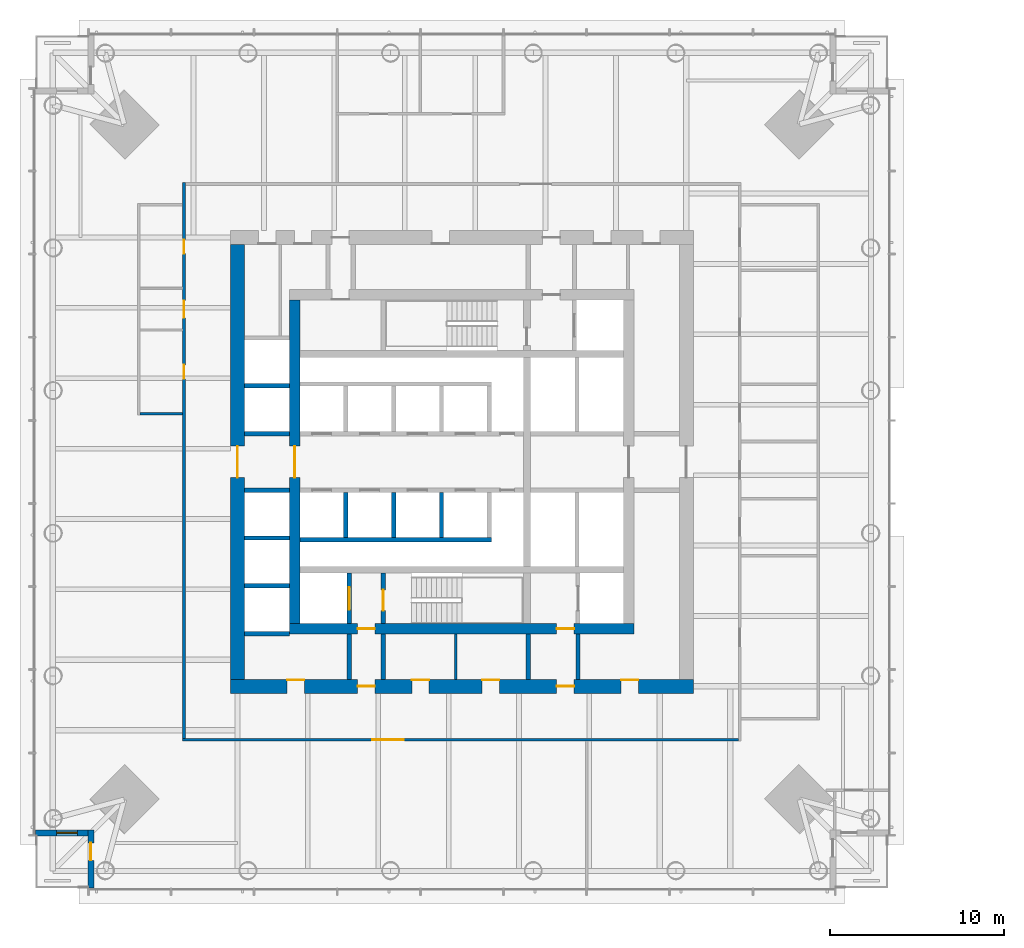
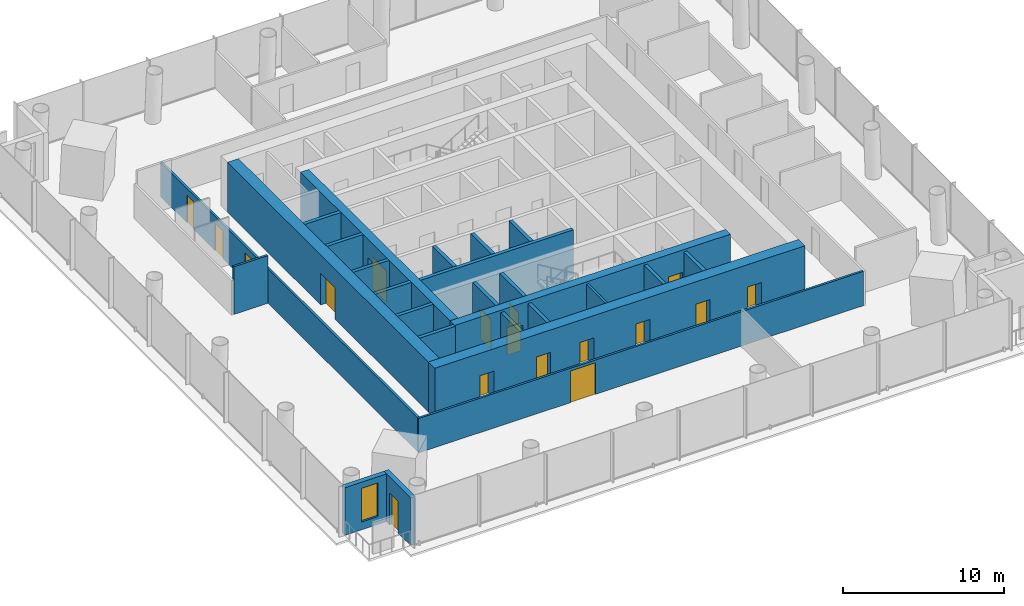
# One storey, part 9 of 26: 26 walls, 17 doors, 1 window, 18 openings.
"""IFC4 building model written with IfcOpenShell, lengths in metres."""

from ifc_helpers import new_model, si_unit, direction, frame, frame_2d, origin, place, context, subcontext, project, spatial, rectangle, extrude, material, layer, layer_set, type_object, element, fill, save


model = new_model("IFC4")

# Units and contexts
model_context = context("Model", 3, precision=1e-05, world=origin(), true_north=direction((0.0, 1.0)))
body_context = subcontext(model_context, "Body", "Model", "MODEL_VIEW")
ifc_project = project(units=[si_unit("LENGTHUNIT", "METRE"), si_unit("AREAUNIT", "SQUARE_METRE"), si_unit("VOLUMEUNIT", "CUBIC_METRE"), si_unit("PLANEANGLEUNIT", "RADIAN"), si_unit("MASSUNIT", "GRAM", prefix="KILO")], contexts=[model_context])

# Site, building, storey
site_placement = place(None, origin())
site = spatial("IfcSite", under=ifc_project, at=site_placement, CompositionType="ELEMENT")
building_placement = place(site_placement, origin())
building = spatial("IfcBuilding", under=site, at=building_placement, Name="Ostroluk Exchange", CompositionType="ELEMENT")
storey_placement = place(building_placement, frame((0.0, 0.0, 36.199951171875)))
storey = spatial("IfcBuildingStorey", under=building, at=storey_placement, Name="L08", CompositionType="ELEMENT", Elevation=36.199951171875)

# Walls
ifc_material_1 = material(Name="Concrete blockwork", Category="masonry")
ifc_layer_1 = layer(ifc_material_1, 0.14990234375)
ifc_layer_set_1 = layer_set([ifc_layer_1], Name="Blockwork plant room wall 150")
wall_type_1 = type_object("IfcWallType", Name="Blockwork plant room wall 150", PredefinedType="SOLIDWALL", material=ifc_layer_set_1)
wall_1_placement = place(storey_placement, frame((44.639892578125, 33.5, 0.0), z_axis=(0.0, 0.0, 1.0), x_axis=(0.0, 1.0, 0.0)))
element("IfcWall", 1, at=wall_1_placement, inside=storey, type_object=wall_type_1, Name="Core room wall", PredefinedType="SOLIDWALL", context=body_context, shape_type="SweptSolid", body=[
    extrude(rectangle(XDim=2.60009765625, YDim=0.14990234375, at=frame_2d((1.300048828125, 0.0))), origin(), (0.0, 0.0, 1.0), 3.6201171875),
])
ifc_material_2 = material(Name="Concrete blockwork", Category="masonry")
ifc_layer_2 = layer(ifc_material_2, 0.25)
ifc_layer_set_2 = layer_set([ifc_layer_2], Name="Blockwork stair enclosure wall 250")
wall_type_2 = type_object("IfcWallType", Name="Blockwork stair enclosure wall 250", PredefinedType="SOLIDWALL", material=ifc_layer_set_2)
for number, where, z_axis, x_axis, name in (
    (2, (38.52490234375, 33.5, 0.0), (0.0, 0.0, 1.0), (0.0, 1.0, 0.0), "Fire lobby enclosure wall"),
    (3, (40.47509765625, 33.5, 0.0), (0.0, 0.0, 1.0), (0.0, 1.0, 0.0), "Fire lobby enclosure wall"),
    (4, (48.804931640625, 33.5, 0.0), (0.0, 0.0, 1.0), (0.0, 1.0, 0.0), "Service lobby enclosure wall"),
    (5, (51.675048828125, 33.5, 0.0), (0.0, 0.0, 1.0), (0.0, 1.0, 0.0), "Service lobby enclosure wall"),
):
    element("IfcWall", number, at=place(storey_placement, frame(where, z_axis=z_axis, x_axis=x_axis)), inside=storey, type_object=wall_type_2, Name=name, PredefinedType="SOLIDWALL", context=body_context, shape_type="SweptSolid", body=[
        extrude(rectangle(XDim=2.60009765625, YDim=0.25, at=frame_2d((1.300048828125, 0.0))), origin(), (0.0, 0.0, 1.0), 3.6201171875),
    ])

# Wall, opening, door
ifc_material_3 = material(Name="Concrete C40/50", Category="concrete")
ifc_layer_3 = layer(ifc_material_3, 0.25)
ifc_layer_set_3 = layer_set([ifc_layer_3], Name="Core shaft wall 250")
wall_type_3 = type_object("IfcWallType", Name="Core shaft wall 250", PredefinedType="SHEAR", material=ifc_layer_set_3)
wall_2_placement = place(storey_placement, frame((38.52490234375, 36.699951171875, 0.0), z_axis=(0.0, 0.0, 1.0), x_axis=(0.0, 1.0, 0.0)))
wall_2 = element("IfcWall", 6, at=wall_2_placement, inside=storey, type_object=wall_type_3, Name="Firefighting lift shaft wall", PredefinedType="SHEAR", context=body_context, shape_type="SweptSolid", body=[
    extrude(rectangle(XDim=2.900146484375, YDim=0.25, at=frame_2d((1.4501953125, 0.0))), origin(), (0.0, 0.0, 1.0), 3.800048828125),
])
opening_1_placement = place(wall_2_placement, frame((0.800048828125, 0.0, 0.0)))
opening_1 = element("IfcOpeningElement", 7, at=opening_1_placement, cuts=wall_2, Name="Opening LD2", PredefinedType="OPENING", context=body_context, shape_type="SweptSolid", body=[
    extrude(rectangle(XDim=1.300048828125, YDim=2.199951171875, at=frame_2d((0.64990234375, 1.10009765625))), frame((0.0, 0.135009765625, 0.0), z_axis=(0.0, -1.0, 0.0), x_axis=(1.0, 0.0, 0.0)), (0.0, 0.0, 1.0), 0.27001953125),
])
ifc_material_4 = material(Name="Stainless steel", Category="steel")
door_type_1 = type_object("IfcDoorType", Name="Lift landing door E 60 1300 x 2200", OperationType="DOUBLE_DOOR_SLIDING", PredefinedType="DOOR", material=ifc_material_4)
door_1_placement = place(opening_1_placement, origin())
door_1 = element("IfcDoor", 8, at=door_1_placement, inside=storey, type_object=door_type_1, Name="Lift FL1 landing door", OperationType="DOUBLE_DOOR_SLIDING", OverallHeight=2.199951171875, OverallWidth=1.300048828125, PredefinedType="DOOR", context=body_context, shape_type="SweptSolid", body=[
    extrude(rectangle(XDim=1.300048828125, YDim=2.199951171875, at=frame_2d((0.64990234375, 1.10009765625))), frame((0.0, 0.02490234375, 0.0), z_axis=(0.0, -1.0, 0.0), x_axis=(1.0, 0.0, 0.0)), (0.0, 0.0, 1.0), 0.050048828125),
])
fill(opening_1, door_1)

wall_3_placement = place(storey_placement, frame((40.47509765625, 36.699951171875, 0.0), z_axis=(0.0, 0.0, 1.0), x_axis=(0.0, 1.0, 0.0)))
wall_3 = element("IfcWall", 9, at=wall_3_placement, inside=storey, type_object=wall_type_3, Name="Stair shaft wall", PredefinedType="SHEAR", context=body_context, shape_type="SweptSolid", body=[
    extrude(rectangle(XDim=2.900146484375, YDim=0.25, at=frame_2d((1.4501953125, 0.0))), origin(), (0.0, 0.0, 1.0), 3.800048828125),
])
opening_2_placement = place(wall_3_placement, frame((0.75, 0.0, 0.0)))
opening_2 = element("IfcOpeningElement", 10, at=opening_2_placement, cuts=wall_3, Name="Opening FD60S", PredefinedType="OPENING", context=body_context, shape_type="SweptSolid", body=[
    extrude(rectangle(XDim=1.199951171875, YDim=2.10009765625, at=frame_2d((0.60009765625, 1.050048828125))), frame((0.0, 0.135009765625, 0.0), z_axis=(0.0, -1.0, 0.0), x_axis=(1.0, 0.0, 0.0)), (0.0, 0.0, 1.0), 0.27001953125),
])
ifc_material_5 = material(Name="Steel", Category="steel")
door_type_2 = type_object("IfcDoorType", Name="Stair door EI 60 1200 x 2100", OperationType="SINGLE_SWING_LEFT", PredefinedType="DOOR", material=ifc_material_5)
door_2_placement = place(opening_2_placement, origin())
door_2 = element("IfcDoor", 11, at=door_2_placement, inside=storey, type_object=door_type_2, Name="Stair T1-S1 door", OperationType="SINGLE_SWING_LEFT", OverallHeight=2.10009765625, OverallWidth=1.199951171875, PredefinedType="DOOR", context=body_context, shape_type="SweptSolid", body=[
    extrude(rectangle(XDim=1.199951171875, YDim=2.10009765625, at=frame_2d((0.60009765625, 1.050048828125))), frame((0.0, 0.02490234375, 0.0), z_axis=(0.0, -1.0, 0.0), x_axis=(1.0, 0.0, 0.0)), (0.0, 0.0, 1.0), 0.050048828125),
])
fill(opening_2, door_2)

# Walls
for number, where, z_axis, x_axis, name in (
    (12, (38.324951171875, 44.25, 0.0), (0.0, 0.0, 1.0), (0.0, -1.0, 0.0), "Lift shaft wall"),
    (13, (41.074951171875, 44.25, 0.0), (0.0, 0.0, 1.0), (0.0, -1.0, 0.0), "Lift shaft wall"),
    (14, (43.824951171875, 44.25, 0.0), (0.0, 0.0, 1.0), (0.0, -1.0, 0.0), "Lift shaft wall"),
):
    element("IfcWall", number, at=place(storey_placement, frame(where, z_axis=z_axis, x_axis=x_axis)), inside=storey, type_object=wall_type_3, Name=name, PredefinedType="SHEAR", context=body_context, shape_type="SweptSolid", body=[
        extrude(rectangle(XDim=2.60009765625, YDim=0.25, at=frame_2d((1.300048828125, 0.0))), origin(), (0.0, 0.0, 1.0), 3.800048828125),
    ])
wall_4_placement = place(storey_placement, frame((35.699951171875, 41.52490234375, 0.0), z_axis=(0.0, 0.0, 1.0), x_axis=(1.0, 0.0, 0.0)))
element("IfcWall", 15, at=wall_4_placement, inside=storey, type_object=wall_type_3, Name="Lift shaft wall", PredefinedType="SHEAR", context=body_context, shape_type="SweptSolid", body=[
    extrude(rectangle(XDim=11.0, YDim=0.25, at=frame_2d((5.5, 0.0))), origin(), (0.0, 0.0, 1.0), 3.800048828125),
])
for number, where, z_axis, x_axis, name in (
    (16, (32.5, 36.125, 0.0), (0.0, 0.0, 1.0), (1.0, 0.0, 0.0), "Lift shaft wall"),
    (17, (32.5, 38.875, 0.0), (0.0, 0.0, 1.0), (1.0, 0.0, 0.0), "Lift shaft wall"),
    (18, (32.5, 41.625, 0.0), (0.0, 0.0, 1.0), (1.0, 0.0, 0.0), "Lift shaft wall"),
    (19, (32.5, 44.375, 0.0), (0.0, 0.0, 1.0), (1.0, 0.0, 0.0), "Lift shaft wall"),
    (20, (32.5, 47.625, 0.0), (0.0, 0.0, 1.0), (1.0, 0.0, 0.0), "Lift shaft wall"),
    (21, (32.5, 50.375, 0.0), (0.0, 0.0, 1.0), (1.0, 0.0, 0.0), "Lift shaft wall"),
):
    element("IfcWall", number, at=place(storey_placement, frame(where, z_axis=z_axis, x_axis=x_axis)), inside=storey, type_object=wall_type_3, Name=name, PredefinedType="SHEAR", context=body_context, shape_type="SweptSolid", body=[
        extrude(rectangle(XDim=2.60009765625, YDim=0.25, at=frame_2d((1.300048828125, 0.0))), origin(), (0.0, 0.0, 1.0), 3.800048828125),
    ])

# Wall, openings, doors
ifc_material_6 = material(Name="Concrete C50/60", Category="concrete")
ifc_layer_4 = layer(ifc_material_6, 0.60009765625)
ifc_layer_set_4 = layer_set([ifc_layer_4], Name="Core wall 600 C50/60")
wall_type_4 = type_object("IfcWallType", Name="Core wall 600 C50/60", PredefinedType="SHEAR", material=ifc_layer_set_4)
wall_5_placement = place(storey_placement, frame((35.10009765625, 36.39990234375, 0.0), z_axis=(0.0, 0.0, 1.0), x_axis=(1.0, 0.0, 0.0)))
wall_5 = element("IfcWall", 22, at=wall_5_placement, inside=storey, type_object=wall_type_4, Name="T1 core wall S", PredefinedType="SHEAR", context=body_context, shape_type="SweptSolid", body=[
    extrude(rectangle(XDim=19.7998046875, YDim=0.60009765625, at=frame_2d((9.89990234375, 0.0))), origin(), (0.0, 0.0, 1.0), 3.800048828125),
])
opening_3_placement = place(wall_5_placement, frame((3.89990234375, 0.0, 0.0)))
opening_3 = element("IfcOpeningElement", 23, at=opening_3_placement, cuts=wall_5, Name="Opening FD60", PredefinedType="OPENING", context=body_context, shape_type="SweptSolid", body=[
    extrude(rectangle(XDim=1.0, YDim=2.10009765625, at=frame_2d((0.5, 1.050048828125))), frame((0.0, 0.31005859375, 0.0), z_axis=(0.0, -1.0, 0.0), x_axis=(1.0, 0.0, 0.0)), (0.0, 0.0, 1.0), 0.6201171875),
])
opening_4_placement = place(wall_5_placement, frame((15.35009765625, 0.0, 0.0)))
opening_4 = element("IfcOpeningElement", 24, at=opening_4_placement, cuts=wall_5, Name="Opening FD60", PredefinedType="OPENING", context=body_context, shape_type="SweptSolid", body=[
    extrude(rectangle(XDim=1.0, YDim=2.10009765625, at=frame_2d((0.5, 1.050048828125))), frame((0.0, 0.31005859375, 0.0), z_axis=(0.0, -1.0, 0.0), x_axis=(1.0, 0.0, 0.0)), (0.0, 0.0, 1.0), 0.6201171875),
])
ifc_material_7 = material(Name="Steel", Category="steel")
door_type_3 = type_object("IfcDoorType", Name="Fire door EI 60 1000 x 2100", OperationType="SINGLE_SWING_LEFT", PredefinedType="DOOR", material=ifc_material_7)
door_3_placement = place(opening_3_placement, origin())
door_3 = element("IfcDoor", 25, at=door_3_placement, inside=storey, type_object=door_type_3, Name="Firefighting lobby door", OperationType="SINGLE_SWING_LEFT", OverallHeight=2.10009765625, OverallWidth=1.0, PredefinedType="DOOR", context=body_context, shape_type="SweptSolid", body=[
    extrude(rectangle(XDim=1.0, YDim=2.10009765625, at=frame_2d((0.5, 1.050048828125))), frame((0.0, 0.02490234375, 0.0), z_axis=(0.0, -1.0, 0.0), x_axis=(1.0, 0.0, 0.0)), (0.0, 0.0, 1.0), 0.050048828125),
])
fill(opening_3, door_3)
door_4_placement = place(opening_4_placement, origin())
door_4 = element("IfcDoor", 26, at=door_4_placement, inside=storey, type_object=door_type_3, Name="Service lobby door", OperationType="SINGLE_SWING_RIGHT", OverallHeight=2.10009765625, OverallWidth=1.0, PredefinedType="DOOR", context=body_context, shape_type="SweptSolid", body=[
    extrude(rectangle(XDim=1.0, YDim=2.10009765625, at=frame_2d((0.5, 1.050048828125))), frame((0.0, 0.02490234375, 0.0), z_axis=(0.0, -1.0, 0.0), x_axis=(1.0, 0.0, 0.0)), (0.0, 0.0, 1.0), 0.050048828125),
])
fill(opening_4, door_4)

# Wall, opening, door
wall_6_placement = place(storey_placement, frame((35.39990234375, 36.699951171875, 0.0), z_axis=(0.0, 0.0, 1.0), x_axis=(0.0, 1.0, 0.0)))
wall_6 = element("IfcWall", 27, at=wall_6_placement, inside=storey, type_object=wall_type_4, Name="T1 core wall W", PredefinedType="SHEAR", context=body_context, shape_type="SweptSolid", body=[
    extrude(rectangle(XDim=18.60009765625, YDim=0.60009765625, at=frame_2d((9.300048828125, 0.0))), origin(), (0.0, 0.0, 1.0), 3.800048828125),
])
opening_5_placement = place(wall_6_placement, frame((8.39990234375, 0.0, 0.0)))
opening_5 = element("IfcOpeningElement", 28, at=opening_5_placement, cuts=wall_6, Name="Opening FD30D", PredefinedType="OPENING", context=body_context, shape_type="SweptSolid", body=[
    extrude(rectangle(XDim=1.800048828125, YDim=2.39990234375, at=frame_2d((0.89990234375, 1.199951171875))), frame((0.0, 0.31005859375, 0.0), z_axis=(0.0, -1.0, 0.0), x_axis=(1.0, 0.0, 0.0)), (0.0, 0.0, 1.0), 0.6201171875),
])
ifc_material_8 = material(Name="Timber", Category="wood")
door_type_4 = type_object("IfcDoorType", Name="Lobby double door EI 30 1800 x 2400", OperationType="DOUBLE_DOOR_SINGLE_SWING", PredefinedType="DOOR", material=ifc_material_8)
door_5_placement = place(opening_5_placement, origin())
door_5 = element("IfcDoor", 29, at=door_5_placement, inside=storey, type_object=door_type_4, Name="Lift lobby doors", OperationType="DOUBLE_DOOR_SINGLE_SWING", OverallHeight=2.39990234375, OverallWidth=1.800048828125, PredefinedType="DOOR", context=body_context, shape_type="SweptSolid", body=[
    extrude(rectangle(XDim=1.800048828125, YDim=2.39990234375, at=frame_2d((0.89990234375, 1.199951171875))), frame((0.0, 0.02490234375, 0.0), z_axis=(0.0, -1.0, 0.0), x_axis=(1.0, 0.0, 0.0)), (0.0, 0.0, 1.0), 0.050048828125),
])
fill(opening_5, door_5)

# Wall, openings, doors
ifc_material_9 = material(Name="Concrete C50/60", Category="concrete")
ifc_layer_5 = layer(ifc_material_9, 0.800048828125)
ifc_layer_set_5 = layer_set([ifc_layer_5], Name="Core wall 800 C50/60")
wall_type_5 = type_object("IfcWallType", Name="Core wall 800 C50/60", PredefinedType="SHEAR", material=ifc_layer_set_5)
wall_7_placement = place(storey_placement, frame((31.699951171875, 33.10009765625, 0.0), z_axis=(0.0, 0.0, 1.0), x_axis=(1.0, 0.0, 0.0)))
wall_7 = element("IfcWall", 30, at=wall_7_placement, inside=storey, type_object=wall_type_5, Name="T1 core wall RS", PredefinedType="SHEAR", context=body_context, shape_type="SweptSolid", body=[
    extrude(rectangle(XDim=26.60009765625, YDim=0.800048828125, at=frame_2d((13.300048828125, 0.0))), origin(), (0.0, 0.0, 1.0), 3.800048828125),
])
opening_6_placement = place(wall_7_placement, frame((7.300048828125, 0.0, 0.0)))
opening_6 = element("IfcOpeningElement", 31, at=opening_6_placement, cuts=wall_7, Name="Opening FD60", PredefinedType="OPENING", context=body_context, shape_type="SweptSolid", body=[
    extrude(rectangle(XDim=1.0, YDim=2.10009765625, at=frame_2d((0.5, 1.050048828125))), frame((0.0, 0.409912109375, 0.0), z_axis=(0.0, -1.0, 0.0), x_axis=(1.0, 0.0, 0.0)), (0.0, 0.0, 1.0), 0.820068359375),
])
opening_7_placement = place(wall_7_placement, frame((18.75, 0.0, 0.0)))
opening_7 = element("IfcOpeningElement", 32, at=opening_7_placement, cuts=wall_7, Name="Opening FD60", PredefinedType="OPENING", context=body_context, shape_type="SweptSolid", body=[
    extrude(rectangle(XDim=1.0, YDim=2.10009765625, at=frame_2d((0.5, 1.050048828125))), frame((0.0, 0.409912109375, 0.0), z_axis=(0.0, -1.0, 0.0), x_axis=(1.0, 0.0, 0.0)), (0.0, 0.0, 1.0), 0.820068359375),
])
opening_8_placement = place(wall_7_placement, frame((3.25, 0.0, 0.0)))
opening_8 = element("IfcOpeningElement", 33, at=opening_8_placement, cuts=wall_7, Name="Opening FD60", PredefinedType="OPENING", context=body_context, shape_type="SweptSolid", body=[
    extrude(rectangle(XDim=1.0, YDim=2.10009765625, at=frame_2d((0.5, 1.050048828125))), frame((0.0, 0.409912109375, 0.0), z_axis=(0.0, -1.0, 0.0), x_axis=(1.0, 0.0, 0.0)), (0.0, 0.0, 1.0), 0.820068359375),
])
opening_9_placement = place(wall_7_placement, frame((10.419921875, 0.0, 0.0)))
opening_9 = element("IfcOpeningElement", 34, at=opening_9_placement, cuts=wall_7, Name="Opening FD60", PredefinedType="OPENING", context=body_context, shape_type="SweptSolid", body=[
    extrude(rectangle(XDim=1.0, YDim=2.10009765625, at=frame_2d((0.5, 1.050048828125))), frame((0.0, 0.409912109375, 0.0), z_axis=(0.0, -1.0, 0.0), x_axis=(1.0, 0.0, 0.0)), (0.0, 0.0, 1.0), 0.820068359375),
])
opening_10_placement = place(wall_7_placement, frame((14.4599609375, 0.0, 0.0)))
opening_10 = element("IfcOpeningElement", 35, at=opening_10_placement, cuts=wall_7, Name="Opening FD60", PredefinedType="OPENING", context=body_context, shape_type="SweptSolid", body=[
    extrude(rectangle(XDim=1.0, YDim=2.10009765625, at=frame_2d((0.5, 1.050048828125))), frame((0.0, 0.409912109375, 0.0), z_axis=(0.0, -1.0, 0.0), x_axis=(1.0, 0.0, 0.0)), (0.0, 0.0, 1.0), 0.820068359375),
])
opening_11_placement = place(wall_7_placement, frame((22.449951171875, 0.0, 0.0)))
opening_11 = element("IfcOpeningElement", 36, at=opening_11_placement, cuts=wall_7, Name="Opening FD60", PredefinedType="OPENING", context=body_context, shape_type="SweptSolid", body=[
    extrude(rectangle(XDim=1.0, YDim=2.10009765625, at=frame_2d((0.5, 1.050048828125))), frame((0.0, 0.409912109375, 0.0), z_axis=(0.0, -1.0, 0.0), x_axis=(1.0, 0.0, 0.0)), (0.0, 0.0, 1.0), 0.820068359375),
])
door_6_placement = place(opening_6_placement, origin())
door_6 = element("IfcDoor", 37, at=door_6_placement, inside=storey, type_object=door_type_3, Name="Firefighting lobby door", OperationType="SINGLE_SWING_LEFT", OverallHeight=2.10009765625, OverallWidth=1.0, PredefinedType="DOOR", context=body_context, shape_type="SweptSolid", body=[
    extrude(rectangle(XDim=1.0, YDim=2.10009765625, at=frame_2d((0.5, 1.050048828125))), frame((0.0, 0.02490234375, 0.0), z_axis=(0.0, -1.0, 0.0), x_axis=(1.0, 0.0, 0.0)), (0.0, 0.0, 1.0), 0.050048828125),
])
fill(opening_6, door_6)
door_7_placement = place(opening_7_placement, origin())
door_7 = element("IfcDoor", 38, at=door_7_placement, inside=storey, type_object=door_type_3, Name="Service lobby door", OperationType="SINGLE_SWING_RIGHT", OverallHeight=2.10009765625, OverallWidth=1.0, PredefinedType="DOOR", context=body_context, shape_type="SweptSolid", body=[
    extrude(rectangle(XDim=1.0, YDim=2.10009765625, at=frame_2d((0.5, 1.050048828125))), frame((0.0, 0.02490234375, 0.0), z_axis=(0.0, -1.0, 0.0), x_axis=(1.0, 0.0, 0.0)), (0.0, 0.0, 1.0), 0.050048828125),
])
fill(opening_7, door_7)
door_8_placement = place(opening_8_placement, origin())
door_8 = element("IfcDoor", 39, at=door_8_placement, inside=storey, type_object=door_type_3, Name="Archive door", OperationType="SINGLE_SWING_LEFT", OverallHeight=2.10009765625, OverallWidth=1.0, PredefinedType="DOOR", context=body_context, shape_type="SweptSolid", body=[
    extrude(rectangle(XDim=1.0, YDim=2.10009765625, at=frame_2d((0.5, 1.050048828125))), frame((0.0, 0.39013671875, 0.0), z_axis=(0.0, -1.0, 0.0), x_axis=(1.0, 0.0, 0.0)), (0.0, 0.0, 1.0), 0.050048828125),
])
fill(opening_8, door_8)
door_9_placement = place(opening_9_placement, origin())
door_9 = element("IfcDoor", 40, at=door_9_placement, inside=storey, type_object=door_type_3, Name="Tea point door", OperationType="SINGLE_SWING_LEFT", OverallHeight=2.10009765625, OverallWidth=1.0, PredefinedType="DOOR", context=body_context, shape_type="SweptSolid", body=[
    extrude(rectangle(XDim=1.0, YDim=2.10009765625, at=frame_2d((0.5, 1.050048828125))), frame((0.0, 0.39013671875, 0.0), z_axis=(0.0, -1.0, 0.0), x_axis=(1.0, 0.0, 0.0)), (0.0, 0.0, 1.0), 0.050048828125),
])
fill(opening_9, door_9)
door_10_placement = place(opening_10_placement, origin())
door_10 = element("IfcDoor", 41, at=door_10_placement, inside=storey, type_object=door_type_3, Name="Print and post room door", OperationType="SINGLE_SWING_RIGHT", OverallHeight=2.10009765625, OverallWidth=1.0, PredefinedType="DOOR", context=body_context, shape_type="SweptSolid", body=[
    extrude(rectangle(XDim=1.0, YDim=2.10009765625, at=frame_2d((0.5, 1.050048828125))), frame((0.0, 0.39013671875, 0.0), z_axis=(0.0, -1.0, 0.0), x_axis=(1.0, 0.0, 0.0)), (0.0, 0.0, 1.0), 0.050048828125),
])
fill(opening_10, door_10)
door_11_placement = place(opening_11_placement, origin())
door_11 = element("IfcDoor", 42, at=door_11_placement, inside=storey, type_object=door_type_3, Name="Tenant IT room door", OperationType="SINGLE_SWING_RIGHT", OverallHeight=2.10009765625, OverallWidth=1.0, PredefinedType="DOOR", context=body_context, shape_type="SweptSolid", body=[
    extrude(rectangle(XDim=1.0, YDim=2.10009765625, at=frame_2d((0.5, 1.050048828125))), frame((0.0, 0.39013671875, 0.0), z_axis=(0.0, -1.0, 0.0), x_axis=(1.0, 0.0, 0.0)), (0.0, 0.0, 1.0), 0.050048828125),
])
fill(opening_11, door_11)

# Wall, opening, door
wall_8_placement = place(storey_placement, frame((32.10009765625, 33.5, 0.0), z_axis=(0.0, 0.0, 1.0), x_axis=(0.0, 1.0, 0.0)))
wall_8 = element("IfcWall", 43, at=wall_8_placement, inside=storey, type_object=wall_type_5, Name="T1 core wall RW", PredefinedType="SHEAR", context=body_context, shape_type="SweptSolid", body=[
    extrude(rectangle(XDim=25.0, YDim=0.800048828125, at=frame_2d((12.5, 0.0))), origin(), (0.0, 0.0, 1.0), 3.800048828125),
])
opening_12_placement = place(wall_8_placement, frame((11.60009765625, 0.0, 0.0)))
opening_12 = element("IfcOpeningElement", 44, at=opening_12_placement, cuts=wall_8, Name="Opening FD30D", PredefinedType="OPENING", context=body_context, shape_type="SweptSolid", body=[
    extrude(rectangle(XDim=1.800048828125, YDim=2.39990234375, at=frame_2d((0.89990234375, 1.199951171875))), frame((0.0, 0.409912109375, 0.0), z_axis=(0.0, -1.0, 0.0), x_axis=(1.0, 0.0, 0.0)), (0.0, 0.0, 1.0), 0.820068359375),
])
door_12_placement = place(opening_12_placement, origin())
door_12 = element("IfcDoor", 45, at=door_12_placement, inside=storey, type_object=door_type_4, Name="Lift lobby doors", OperationType="DOUBLE_DOOR_SINGLE_SWING", OverallHeight=2.39990234375, OverallWidth=1.800048828125, PredefinedType="DOOR", context=body_context, shape_type="SweptSolid", body=[
    extrude(rectangle(XDim=1.800048828125, YDim=2.39990234375, at=frame_2d((0.89990234375, 1.199951171875))), frame((0.0, 0.02490234375, 0.0), z_axis=(0.0, -1.0, 0.0), x_axis=(1.0, 0.0, 0.0)), (0.0, 0.0, 1.0), 0.050048828125),
])
fill(opening_12, door_12)

ifc_material_10 = material(Name="Limestone", Category="masonry")
ifc_layer_6 = layer(ifc_material_10, 0.35009765625)
ifc_layer_set_6 = layer_set([ifc_layer_6], Name="Limestone facade wall 350")
wall_type_6 = type_object("IfcWallType", Name="Limestone facade wall 350", PredefinedType="SOLIDWALL", material=ifc_layer_set_6)
wall_9_placement = place(storey_placement, frame((23.675048828125, 21.5, 0.0), z_axis=(0.0, 0.0, 1.0), x_axis=(0.0, 1.0, 0.0)))
wall_9 = element("IfcWall", 46, at=wall_9_placement, inside=storey, type_object=wall_type_6, Name="Office tower SW corner wall L08 a", PredefinedType="SOLIDWALL", context=body_context, shape_type="SweptSolid", body=[
    extrude(rectangle(XDim=3.35009765625, YDim=0.35009765625, at=frame_2d((1.675048828125, 0.0))), origin(), (0.0, 0.0, 1.0), 3.6201171875),
])
opening_13_placement = place(wall_9_placement, frame((1.60009765625, 0.0, 0.0)))
opening_13 = element("IfcOpeningElement", 47, at=opening_13_placement, cuts=wall_9, Name="Opening D-B1", PredefinedType="OPENING", context=body_context, shape_type="SweptSolid", body=[
    extrude(rectangle(XDim=1.0, YDim=2.39990234375, at=frame_2d((0.5, 1.199951171875))), frame((0.0, 0.18505859375, 0.0), z_axis=(0.0, -1.0, 0.0), x_axis=(1.0, 0.0, 0.0)), (0.0, 0.0, 1.0), 0.3701171875),
])
ifc_material_11 = material(Name="Bronze framed glazed door", Category="aluminium")
door_type_5 = type_object("IfcDoorType", Name="Balcony door 1000 x 2400", OperationType="SINGLE_SWING_LEFT", PredefinedType="DOOR", material=ifc_material_11)
door_13_placement = place(opening_13_placement, origin())
door_13 = element("IfcDoor", 48, at=door_13_placement, inside=storey, type_object=door_type_5, Name="Office tower SW balcony door L08", OperationType="SINGLE_SWING_RIGHT", OverallHeight=2.39990234375, OverallWidth=1.0, PredefinedType="DOOR", context=body_context, shape_type="SweptSolid", body=[
    extrude(rectangle(XDim=1.0, YDim=2.39990234375, at=frame_2d((0.5, 1.199951171875))), frame((0.0, 0.02490234375, 0.0), z_axis=(0.0, -1.0, 0.0), x_axis=(1.0, 0.0, 0.0)), (0.0, 0.0, 1.0), 0.050048828125),
])
fill(opening_13, door_13)

# Wall, opening, window
wall_10_placement = place(storey_placement, frame((23.5, 24.675048828125, 0.0), z_axis=(0.0, 0.0, 1.0), x_axis=(-1.0, 0.0, 0.0)))
wall_10 = element("IfcWall", 49, at=wall_10_placement, inside=storey, type_object=wall_type_6, Name="Office tower SW corner wall L08 b", PredefinedType="SOLIDWALL", context=body_context, shape_type="SweptSolid", body=[
    extrude(rectangle(XDim=3.0, YDim=0.35009765625, at=frame_2d((1.5, 0.0))), origin(), (0.0, 0.0, 1.0), 3.6201171875),
])
opening_14_placement = place(wall_10_placement, frame((0.60009765625, 0.0, 0.60009765625)))
opening_14 = element("IfcOpeningElement", 50, at=opening_14_placement, cuts=wall_10, Name="Opening WN-L1", PredefinedType="OPENING", context=body_context, shape_type="SweptSolid", body=[
    extrude(rectangle(XDim=1.199951171875, YDim=2.550048828125, at=frame_2d((0.60009765625, 1.27490234375))), frame((0.0, 0.18505859375, 0.0), z_axis=(0.0, -1.0, 0.0), x_axis=(1.0, 0.0, 0.0)), (0.0, 0.0, 1.0), 0.3701171875),
])
ifc_material_12 = material(Name="Laminated clear glass", Category="glass")
window_type = type_object("IfcWindowType", Name="Lancet window 1200 x 2550", PartitioningType="SINGLE_PANEL", PredefinedType="WINDOW", material=ifc_material_12)
window_placement = place(opening_14_placement, origin())
window = element("IfcWindow", 51, at=window_placement, inside=storey, type_object=window_type, Name="Office tower SW lancet window L08", OverallHeight=2.550048828125, OverallWidth=1.199951171875, PartitioningType="SINGLE_PANEL", PredefinedType="WINDOW", context=body_context, shape_type="SweptSolid", body=[
    extrude(rectangle(XDim=1.199951171875, YDim=2.550048828125, at=frame_2d((0.60009765625, 1.27490234375))), frame((0.0, 0.030029296875, 0.0), z_axis=(0.0, -1.0, 0.0), x_axis=(1.0, 0.0, 0.0)), (0.0, 0.0, 1.0), 0.06005859375),
])
fill(opening_14, window)

# Wall, openings, doors
ifc_material_13 = material(Name="Gypsum plasterboard partition", Category="gypsum")
ifc_layer_7 = layer(ifc_material_13, 0.14990234375)
ifc_layer_set_7 = layer_set([ifc_layer_7], Name="Plasterboard partition 150")
wall_type_7 = type_object("IfcWallType", Name="Plasterboard partition 150", PredefinedType="PARTITIONING", material=ifc_layer_set_7)
wall_11_placement = place(storey_placement, frame((29.02490234375, 62.050048828125, 0.0), z_axis=(0.0, 0.0, 1.0), x_axis=(0.0, -1.0, 0.0)))
wall_11 = element("IfcWall", 52, at=wall_11_placement, inside=storey, type_object=wall_type_7, Name="Corridor wall", PredefinedType="PARTITIONING", context=body_context, shape_type="SweptSolid", body=[
    extrude(rectangle(XDim=31.949951171875, YDim=0.14990234375, at=frame_2d((15.97509765625, 0.0))), origin(), (0.0, 0.0, 1.0), 2.612060546875),
])
opening_15_placement = place(wall_11_placement, frame((3.27490234375, 0.0, 0.0)))
opening_15 = element("IfcOpeningElement", 53, at=opening_15_placement, cuts=wall_11, Name="Opening D-06", PredefinedType="OPENING", context=body_context, shape_type="SweptSolid", body=[
    extrude(rectangle(XDim=0.800048828125, YDim=2.10009765625, at=frame_2d((0.39990234375, 1.050048828125))), frame((0.0, 0.0849609375, 0.0), z_axis=(0.0, -1.0, 0.0), x_axis=(1.0, 0.0, 0.0)), (0.0, 0.0, 1.0), 0.169921875),
])
opening_16_placement = place(wall_11_placement, frame((6.77490234375, 0.0, 0.0)))
opening_16 = element("IfcOpeningElement", 54, at=opening_16_placement, cuts=wall_11, Name="Opening D-03", PredefinedType="OPENING", context=body_context, shape_type="SweptSolid", body=[
    extrude(rectangle(XDim=1.0, YDim=2.10009765625, at=frame_2d((0.5, 1.050048828125))), frame((0.0, 0.0849609375, 0.0), z_axis=(0.0, -1.0, 0.0), x_axis=(1.0, 0.0, 0.0)), (0.0, 0.0, 1.0), 0.169921875),
])
opening_17_placement = place(wall_11_placement, frame((10.47509765625, 0.0, 0.0)))
opening_17 = element("IfcOpeningElement", 55, at=opening_17_placement, cuts=wall_11, Name="Opening D-06", PredefinedType="OPENING", context=body_context, shape_type="SweptSolid", body=[
    extrude(rectangle(XDim=0.800048828125, YDim=2.10009765625, at=frame_2d((0.39990234375, 1.050048828125))), frame((0.0, 0.0849609375, 0.0), z_axis=(0.0, -1.0, 0.0), x_axis=(1.0, 0.0, 0.0)), (0.0, 0.0, 1.0), 0.169921875),
])
ifc_material_14 = material(Name="Timber", Category="wood")
door_type_6 = type_object("IfcDoorType", Name="Internal door 1000 x 2100", OperationType="SINGLE_SWING_LEFT", PredefinedType="DOOR", material=ifc_material_14)
door_14_placement = place(opening_16_placement, origin())
door_14 = element("IfcDoor", 56, at=door_14_placement, inside=storey, type_object=door_type_6, Name="Accessible WC door", OperationType="SINGLE_SWING_LEFT", OverallHeight=2.10009765625, OverallWidth=1.0, PredefinedType="DOOR", context=body_context, shape_type="SweptSolid", body=[
    extrude(rectangle(XDim=1.0, YDim=2.10009765625, at=frame_2d((0.5, 1.050048828125))), frame((0.0, 0.02490234375, 0.0), z_axis=(0.0, -1.0, 0.0), x_axis=(1.0, 0.0, 0.0)), (0.0, 0.0, 1.0), 0.050048828125),
])
fill(opening_16, door_14)
ifc_material_15 = material(Name="Timber", Category="wood")
door_type_7 = type_object("IfcDoorType", Name="Toilet door 800 x 2100", OperationType="SINGLE_SWING_LEFT", PredefinedType="DOOR", material=ifc_material_15)
door_15_placement = place(opening_15_placement, origin())
door_15 = element("IfcDoor", 57, at=door_15_placement, inside=storey, type_object=door_type_7, Name="WC female door", OperationType="SINGLE_SWING_LEFT", OverallHeight=2.10009765625, OverallWidth=0.800048828125, PredefinedType="DOOR", context=body_context, shape_type="SweptSolid", body=[
    extrude(rectangle(XDim=0.800048828125, YDim=2.10009765625, at=frame_2d((0.39990234375, 1.050048828125))), frame((0.0, 0.02490234375, 0.0), z_axis=(0.0, -1.0, 0.0), x_axis=(1.0, 0.0, 0.0)), (0.0, 0.0, 1.0), 0.050048828125),
])
fill(opening_15, door_15)
door_16_placement = place(opening_17_placement, origin())
door_16 = element("IfcDoor", 58, at=door_16_placement, inside=storey, type_object=door_type_7, Name="WC male door", OperationType="SINGLE_SWING_LEFT", OverallHeight=2.10009765625, OverallWidth=0.800048828125, PredefinedType="DOOR", context=body_context, shape_type="SweptSolid", body=[
    extrude(rectangle(XDim=0.800048828125, YDim=2.10009765625, at=frame_2d((0.39990234375, 1.050048828125))), frame((0.0, 0.02490234375, 0.0), z_axis=(0.0, -1.0, 0.0), x_axis=(1.0, 0.0, 0.0)), (0.0, 0.0, 1.0), 0.050048828125),
])
fill(opening_17, door_16)

# Wall, opening, door
wall_12_placement = place(storey_placement, frame((28.949951171875, 30.02490234375, 0.0), z_axis=(0.0, 0.0, 1.0), x_axis=(1.0, 0.0, 0.0)))
wall_12 = element("IfcWall", 59, at=wall_12_placement, inside=storey, type_object=wall_type_7, Name="Corridor wall", PredefinedType="PARTITIONING", context=body_context, shape_type="SweptSolid", body=[
    extrude(rectangle(XDim=31.949951171875, YDim=0.14990234375, at=frame_2d((15.97509765625, 0.0))), origin(), (0.0, 0.0, 1.0), 2.612060546875),
])
opening_18_placement = place(wall_12_placement, frame((10.908447265625, 0.0, 0.0)))
opening_18 = element("IfcOpeningElement", 60, at=opening_18_placement, cuts=wall_12, Name="Opening D-04", PredefinedType="OPENING", context=body_context, shape_type="SweptSolid", body=[
    extrude(rectangle(XDim=1.800048828125, YDim=2.39990234375, at=frame_2d((0.89990234375, 1.199951171875))), frame((0.0, 0.0849609375, 0.0), z_axis=(0.0, -1.0, 0.0), x_axis=(1.0, 0.0, 0.0)), (0.0, 0.0, 1.0), 0.169921875),
])
ifc_material_16 = material(Name="Timber", Category="wood")
door_type_8 = type_object("IfcDoorType", Name="Double door 1800 x 2400", OperationType="DOUBLE_DOOR_SINGLE_SWING", PredefinedType="DOOR", material=ifc_material_16)
door_17_placement = place(opening_18_placement, origin())
door_17 = element("IfcDoor", 61, at=door_17_placement, inside=storey, type_object=door_type_8, Name="Open plan office door", OperationType="DOUBLE_DOOR_SINGLE_SWING", OverallHeight=2.39990234375, OverallWidth=1.800048828125, PredefinedType="DOOR", context=body_context, shape_type="SweptSolid", body=[
    extrude(rectangle(XDim=1.800048828125, YDim=2.39990234375, at=frame_2d((0.89990234375, 1.199951171875))), frame((0.0, 0.02490234375, 0.0), z_axis=(0.0, -1.0, 0.0), x_axis=(1.0, 0.0, 0.0)), (0.0, 0.0, 1.0), 0.050048828125),
])
fill(opening_18, door_17)

# Wall
ifc_material_17 = material(Name="Gypsum plasterboard partition, moisture resistant", Category="gypsum")
ifc_layer_8 = layer(ifc_material_17, 0.14990234375)
ifc_layer_set_8 = layer_set([ifc_layer_8], Name="Plasterboard toilet partition 150")
wall_type_8 = type_object("IfcWallType", Name="Plasterboard toilet partition 150", PredefinedType="PARTITIONING", material=ifc_layer_set_8)
wall_13_placement = place(storey_placement, frame((28.949951171875, 48.77490234375, 0.0), z_axis=(0.0, 0.0, 1.0), x_axis=(-1.0, 0.0, 0.0)))
element("IfcWall", 62, at=wall_13_placement, inside=storey, type_object=wall_type_8, Name="Toilet partition", PredefinedType="PARTITIONING", context=body_context, shape_type="SweptSolid", body=[
    extrude(rectangle(XDim=2.449951171875, YDim=0.14990234375, at=frame_2d((1.22509765625, 0.0))), origin(), (0.0, 0.0, 1.0), 3.6201171875),
])

save(model, "model.ifc")
